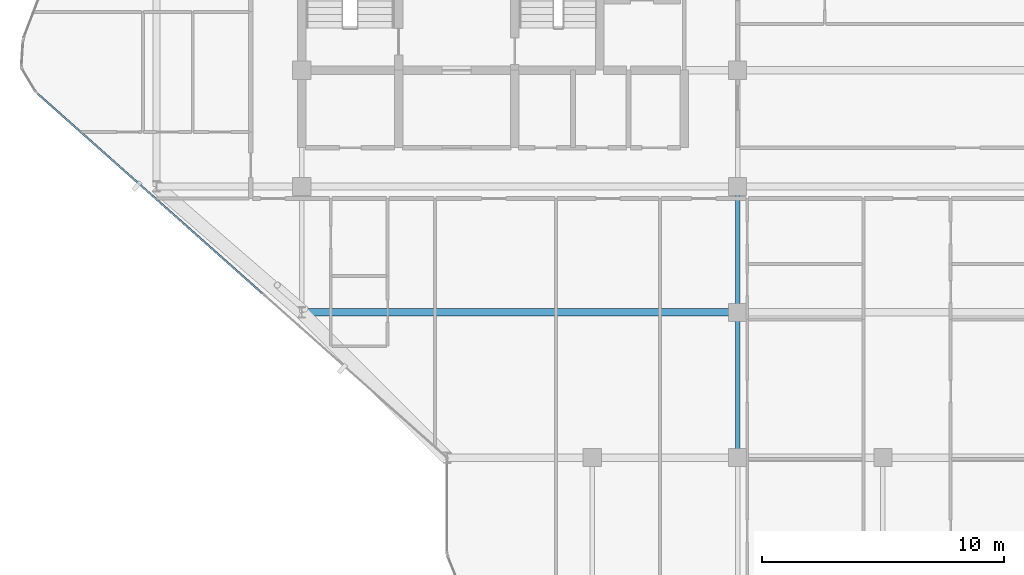
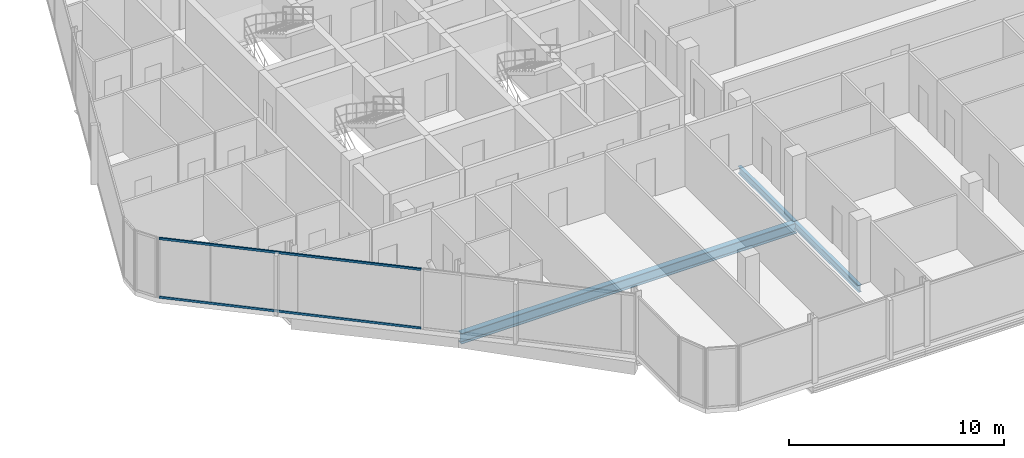
# One storey, part 7 of 29: 3 beams, 2 members, 1 element without a shape of its own.
"""IFC4 building model written with IfcOpenShell, lengths in metres."""

import ifcopenshell
import ifcopenshell.guid

model = None  # the IFC model being written
_history = None  # IfcOwnerHistory: only IFC2X3 demands one
_inside = {}  # id of a spatial element -> (the spatial element, [elements in it])
_under = {}  # id of a project, library or spatial element -> (it, [spatial elements below it])
_declared = {}  # id of a project -> (the project, [libraries it declares])
_typed = {}  # id of a type object -> (the type object, [elements of that type])
_made_of = {}  # id of a material, layer set ... -> (it, [elements and type objects made of it])


def new_model(schema):
    """Start an empty IFC model of exactly this schema.

    Asked for "IFC4X3", IfcOpenShell would pick the latest addendum, in which some entities
    have other attributes; the version numbers below select the first issue.
    IFC2X3 requires an IfcOwnerHistory on every rooted entity: one is made here for all.
    """
    global model, _history
    if schema == "IFC4X3":
        model = ifcopenshell.file(schema_version=(4, 3, 0, 0))
    else:
        model = ifcopenshell.file(schema=schema)
    _inside.clear()
    _under.clear()
    _declared.clear()
    _typed.clear()
    _made_of.clear()
    _history = None
    if model.schema == "IFC2X3":
        org = make("IfcOrganization", Name="unknown")
        user = make(
            "IfcPersonAndOrganization",
            ThePerson=make("IfcPerson", FamilyName="unknown"),
            TheOrganization=org,
        )
        app = make(
            "IfcApplication",
            ApplicationDeveloper=org,
            Version="unknown",
            ApplicationFullName="unknown",
            ApplicationIdentifier="unknown",
        )
        _history = make(
            "IfcOwnerHistory",
            OwningUser=user,
            OwningApplication=app,
            ChangeAction="ADDED",
            CreationDate=0,
        )
    return model


def make(cls, **values):
    """One entity of the class cls with the attributes given. An attribute that is None is left unset."""
    return model.create_entity(
        cls, **{name: value for name, value in values.items() if value is not None}
    )


def rooted(cls, **values):
    """An entity with a GlobalId (a new one), such as an element, a storey or a relation."""
    return make(cls, GlobalId=ifcopenshell.guid.new(), OwnerHistory=_history, **values)


def si_unit(unit_type, name, prefix=None):
    """IfcSIUnit, for example si_unit("LENGTHUNIT", "METRE", prefix="MILLI")."""
    return make("IfcSIUnit", UnitType=unit_type, Prefix=prefix, Name=name)


def assignment(units):
    """IfcUnitAssignment: the units of a project."""
    return None if units is None else make("IfcUnitAssignment", Units=units)


def point(xyz):
    """IfcCartesianPoint."""
    return None if xyz is None else make("IfcCartesianPoint", Coordinates=xyz)


def direction(xyz):
    """IfcDirection."""
    return None if xyz is None else make("IfcDirection", DirectionRatios=xyz)


def frame(location, z_axis=None, x_axis=None):
    """IfcAxis2Placement3D, a coordinate frame: its origin and axes. An axis left out is left unset."""
    return make(
        "IfcAxis2Placement3D",
        Location=point(location),
        Axis=direction(z_axis),
        RefDirection=direction(x_axis),
    )


def frame_2d(location, x_axis=None):
    """IfcAxis2Placement2D, a coordinate frame in the plane: its origin and x axis."""
    return make(
        "IfcAxis2Placement2D", Location=point(location), RefDirection=direction(x_axis)
    )


def origin():
    """The frame at (0, 0, 0) with its axes left unset."""
    return frame((0.0, 0.0, 0.0))


def origin_2d():
    """The frame at (0, 0) in the plane with its x axis left unset."""
    return frame_2d((0.0, 0.0))


def place(relative_to, where):
    """IfcLocalPlacement: puts the frame where relative to a parent placement (None: the world)."""
    return make(
        "IfcLocalPlacement", PlacementRelTo=relative_to, RelativePlacement=where
    )


def context(
    kind, dimensions, precision=None, world=None, true_north=None, identifier=None
):
    """IfcGeometricRepresentationContext, for example the 3D "Model" context."""
    return make(
        "IfcGeometricRepresentationContext",
        ContextIdentifier=identifier,
        ContextType=kind,
        CoordinateSpaceDimension=dimensions,
        Precision=precision,
        WorldCoordinateSystem=world,
        TrueNorth=true_north,
    )


def subcontext(parent, identifier, kind, view, scale=None):
    """IfcGeometricRepresentationSubContext, for example "Body" below "Model"."""
    return make(
        "IfcGeometricRepresentationSubContext",
        ContextIdentifier=identifier,
        ContextType=kind,
        ParentContext=parent,
        TargetScale=scale,
        TargetView=view,
    )


def project(units=None, contexts=None):
    """IfcProject with its units and contexts."""
    return rooted(
        "IfcProject",
        Name="project",
        RepresentationContexts=contexts,
        UnitsInContext=assignment(units),
    )


def spatial(cls, under=None, at=None, **own):
    """A site, building, storey or space (cls), placed at a placement, below another one or the project."""
    s = rooted(cls, ObjectPlacement=at, **own)
    if under is not None:
        _under.setdefault(under.id(), (under, []))[1].append(s)
    return s


def profile(cls, at=None, kind="AREA", **sizes):
    """A parametric profile (cls). Its sizes go by their IFC names, for example OverallWidth=200.0."""
    return make(cls, ProfileType=kind, Position=at, **sizes)


def hollow_rectangle(**sizes):
    """IfcRectangleHollowProfileDef."""
    return profile("IfcRectangleHollowProfileDef", **sizes)


def i_section(**sizes):
    """IfcIShapeProfileDef."""
    return profile("IfcIShapeProfileDef", **sizes)


def extrude(swept, where, along, depth):
    """IfcExtrudedAreaSolid: the profile swept, set in the frame where, extruded along a direction by depth."""
    return make(
        "IfcExtrudedAreaSolid",
        SweptArea=swept,
        Position=where,
        ExtrudedDirection=direction(along),
        Depth=depth,
    )


def shape(context_of_items, identifier, shape_type, items):
    """IfcShapeRepresentation: the items that make up one representation, for example the "Body"."""
    return make(
        "IfcShapeRepresentation",
        ContextOfItems=context_of_items,
        RepresentationIdentifier=identifier,
        RepresentationType=shape_type,
        Items=items,
    )


def material(Name=None, Category=None):
    """IfcMaterial."""
    return make("IfcMaterial", Name=Name, Category=Category)


def layer(
    of_material, thickness, ventilated=None, Name=None, Category=None, Priority=None
):
    """IfcMaterialLayer: one layer of a wall or slab, of a material (None: an air gap)."""
    return make(
        "IfcMaterialLayer",
        Material=of_material,
        LayerThickness=thickness,
        IsVentilated=ventilated,
        Name=Name,
        Category=Category,
        Priority=Priority,
    )


def layer_set(layers, Name=None):
    """IfcMaterialLayerSet."""
    return make("IfcMaterialLayerSet", MaterialLayers=layers, LayerSetName=Name)


def material_profile(
    of_material, cross_section, Name=None, Category=None, Priority=None
):
    """IfcMaterialProfile: a cross section and its material."""
    return make(
        "IfcMaterialProfile",
        Name=Name,
        Material=of_material,
        Profile=cross_section,
        Priority=Priority,
        Category=Category,
    )


def profile_set(profiles, Name=None, composite=None):
    """IfcMaterialProfileSet."""
    return make(
        "IfcMaterialProfileSet",
        Name=Name,
        MaterialProfiles=profiles,
        CompositeProfile=composite,
    )


def made_of(thing, what):
    """Note that an element or type object is made of a material, layer set ...; save() writes the relation."""
    if what is not None:
        _made_of.setdefault(what.id(), (what, []))[1].append(thing)
    return thing


def type_object(cls, material=None, **own):
    """A type object (cls), such as IfcWallType, which elements share."""
    return made_of(rooted(cls, **own), material)


def element(
    cls,
    number,
    at=None,
    inside=None,
    cuts=None,
    type_object=None,
    material=None,
    context=None,
    identifier="Body",
    shape_type=None,
    held_by="IfcProductDefinitionShape",
    body=None,
    shapes=None,
    **own,
):
    """One element of the class cls, such as IfcWall. Its Tag is "e" and its number.

    at: its placement. inside: the storey or other place that contains it. cuts: it is an
    opening in that element (IfcRelVoidsElement). A single representation is given by context,
    identifier, shape_type and body (its items); several are given by shapes. held_by: the class
    of the entity that holds the representations. save() writes the other relations.
    """
    e = rooted(cls, Tag="e%d" % number, ObjectPlacement=at, **own)
    if body is not None:
        shapes = [shape(context, identifier, shape_type, body)]
    if shapes is not None:
        e.Representation = make(held_by, Representations=shapes)
    if inside is not None:
        _inside.setdefault(inside.id(), (inside, []))[1].append(e)
    if cuts is not None:
        rooted(
            "IfcRelVoidsElement", RelatingBuildingElement=cuts, RelatedOpeningElement=e
        )
    if type_object is not None:
        _typed.setdefault(type_object.id(), (type_object, []))[1].append(e)
    return made_of(e, material)


def aggregate(whole, parts):
    """IfcRelAggregates: a whole, such as a stair, and the parts it consists of."""
    return rooted("IfcRelAggregates", RelatingObject=whole, RelatedObjects=parts)


def save(model, path):
    """Write the relations noted so far, then the file.

    IfcRelAggregates (storeys below a building ...), IfcRelContainedInSpatialStructure (elements
    in a storey), IfcRelDefinesByType, IfcRelAssociatesMaterial and IfcRelDeclares: one each for
    every whole, place, type object, material and project.
    """
    for whole, parts in _under.values():
        aggregate(whole, parts)
    for where, things in _inside.values():
        rooted(
            "IfcRelContainedInSpatialStructure",
            RelatedElements=things,
            RelatingStructure=where,
        )
    for kind, things in _typed.values():
        rooted("IfcRelDefinesByType", RelatedObjects=things, RelatingType=kind)
    for what, things in _made_of.values():
        rooted("IfcRelAssociatesMaterial", RelatedObjects=things, RelatingMaterial=what)
    for by, libraries in _declared.values():
        rooted("IfcRelDeclares", RelatingContext=by, RelatedDefinitions=libraries)
    model.write(path)


model = new_model("IFC4")

# Units and contexts
model_context = context("Model", 3, precision=1e-05, world=origin(), true_north=direction((0.0, 1.0)))
body_context = subcontext(model_context, "Body", "Model", "MODEL_VIEW")
ifc_project = project(units=[si_unit("LENGTHUNIT", "METRE"), si_unit("AREAUNIT", "SQUARE_METRE"), si_unit("VOLUMEUNIT", "CUBIC_METRE"), si_unit("PLANEANGLEUNIT", "RADIAN"), si_unit("MASSUNIT", "GRAM", prefix="KILO")], contexts=[model_context])

# Site, building, storey
site_placement = place(None, origin())
site = spatial("IfcSite", under=ifc_project, at=site_placement, CompositionType="ELEMENT")
building_placement = place(site_placement, origin())
building = spatial("IfcBuilding", under=site, at=building_placement, Name="Keshet Zoharim Tower", CompositionType="ELEMENT")
storey_placement = place(building_placement, frame((0.0, 0.0, 226.5)))
storey = spatial("IfcBuildingStorey", under=building, at=storey_placement, Name="L56", CompositionType="ELEMENT", Elevation=226.5)

# Beams
ifc_material_1 = material(Name="Steel S355", Category="steel")
ifc_material_profile_1 = material_profile(ifc_material_1, i_section(OverallWidth=0.300048828125, OverallDepth=0.60009765625, WebThickness=0.015380859375, FlangeThickness=0.030029296875, FilletRadius=0.027099609375, at=origin_2d()), Name="HEB600")
ifc_profile_set_1 = profile_set([ifc_material_profile_1], Name="Steel S355")
beam_type_1 = type_object("IfcBeamType", Name="BM-LNG-HB600", PredefinedType="BEAM", material=ifc_profile_set_1)
beam_1_placement = place(storey_placement, frame((15.0, 12.699951171875, -0.610107421875), z_axis=(1.0, 0.0, 0.0), x_axis=(0.0, 1.0, 0.0)))
element("IfcBeam", 1, at=beam_1_placement, inside=storey, type_object=beam_type_1, Name="L56 Primary Girder X-009", PredefinedType="BEAM", context=body_context, shape_type="SweptSolid", body=[
    extrude(i_section(OverallWidth=0.300048828125, OverallDepth=0.60009765625, WebThickness=0.015380859375, FlangeThickness=0.030029296875, FilletRadius=0.027099609375, at=origin_2d()), origin(), (0.0, 0.0, 1.0), 18.0),
])
ifc_material_profile_2 = material_profile(ifc_material_1, i_section(OverallWidth=0.179931640625, OverallDepth=0.39990234375, WebThickness=0.008544921875, FlangeThickness=0.013427734375, FilletRadius=0.02099609375, at=origin_2d()), Name="IPE400")
ifc_profile_set_2 = profile_set([ifc_material_profile_2], Name="Steel S355")
beam_type_2 = type_object("IfcBeamType", Name="BM-PRI-IP400", PredefinedType="BEAM", material=ifc_profile_set_2)
beam_2_placement = place(storey_placement, frame((33.0, 6.699951171875, -0.510009765625), z_axis=(0.0, 1.0, 0.0), x_axis=(-1.0, 0.0, 0.0)))
element("IfcBeam", 2, at=beam_2_placement, inside=storey, type_object=beam_type_2, Name="L56 Primary Girder Y-006", PredefinedType="BEAM", context=body_context, shape_type="SweptSolid", body=[
    extrude(i_section(OverallWidth=0.179931640625, OverallDepth=0.39990234375, WebThickness=0.008544921875, FlangeThickness=0.013427734375, FilletRadius=0.02099609375, at=origin_2d()), origin(), (0.0, 0.0, 1.0), 6.0),
])
beam_3_placement = place(storey_placement, frame((33.0, 12.699951171875, -0.510009765625), z_axis=(0.0, 1.0, 0.0), x_axis=(-1.0, 0.0, 0.0)))
element("IfcBeam", 3, at=beam_3_placement, inside=storey, type_object=beam_type_2, Name="L56 Primary Girder Y-007", PredefinedType="BEAM", context=body_context, shape_type="SweptSolid", body=[
    extrude(i_section(OverallWidth=0.179931640625, OverallDepth=0.39990234375, WebThickness=0.008544921875, FlangeThickness=0.013427734375, FilletRadius=0.02099609375, at=origin_2d()), origin(), (0.0, 0.0, 1.0), 5.199951171875),
])

# Curtain wall, members
ifc_material_2 = material(Name="Aluminium 6063-T6", Category="aluminium")
ifc_layer = layer(ifc_material_2, 0.139892578125)
ifc_layer_set = layer_set([ifc_layer], Name="Aluminium 6063-T6")
curtain_wall_type = type_object("IfcCurtainWallType", Name="CW-SYS-05", PredefinedType="NOTDEFINED", material=ifc_layer_set)
curtain_wall_placement = place(storey_placement, origin())
curtain_wall = element("IfcCurtainWall", 4, at=curtain_wall_placement, inside=storey, type_object=curtain_wall_type, Name="L56 Unitised Curtain Wall 10 Part 3", PredefinedType="NOTDEFINED")
ifc_material_profile_3 = material_profile(ifc_material_2, hollow_rectangle(XDim=0.074951171875, YDim=0.1201171875, WallThickness=0.00390625, at=origin_2d()), Name="TRN-75x120")
ifc_profile_set_3 = profile_set([ifc_material_profile_3], Name="Aluminium 6063-T6")
member_type = type_object("IfcMemberType", Name="CWT-T12", PredefinedType="USERDEFINED", material=ifc_profile_set_3)
member_1_placement = place(storey_placement, frame((13.379638671875, 13.4736328125, 0.034912109375), z_axis=(-0.747409318684, 0.66436383883, 0.0), x_axis=(-0.66436383883, -0.747409318684, 0.0)))
member_1 = element("IfcMember", 5, at=member_1_placement, type_object=member_type, Name="CW-05 transom 1.1", ObjectType="TRANSOM", PredefinedType="USERDEFINED", context=body_context, shape_type="SweptSolid", body=[
    extrude(hollow_rectangle(XDim=0.074951171875, YDim=0.1201171875, WallThickness=0.00390625, at=origin_2d()), origin(), (0.0, 0.0, 1.0), 12.4326171875),
])
member_2_placement = place(storey_placement, frame((13.379638671875, 13.4736328125, 3.35498046875), z_axis=(-0.747409318684, 0.66436383883, 0.0), x_axis=(-0.66436383883, -0.747409318684, 0.0)))
member_2 = element("IfcMember", 6, at=member_2_placement, type_object=member_type, Name="CW-05 transom 1.2", ObjectType="TRANSOM", PredefinedType="USERDEFINED", context=body_context, shape_type="SweptSolid", body=[
    extrude(hollow_rectangle(XDim=0.074951171875, YDim=0.1201171875, WallThickness=0.00390625, at=origin_2d()), origin(), (0.0, 0.0, 1.0), 12.4326171875),
])
aggregate(curtain_wall, [member_1, member_2])

save(model, "model.ifc")
